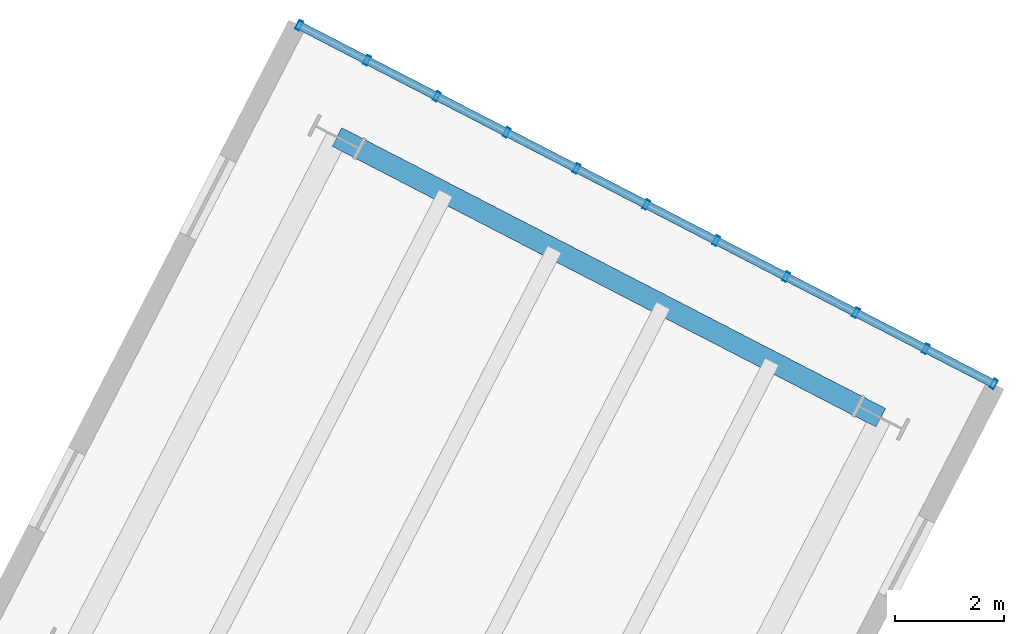
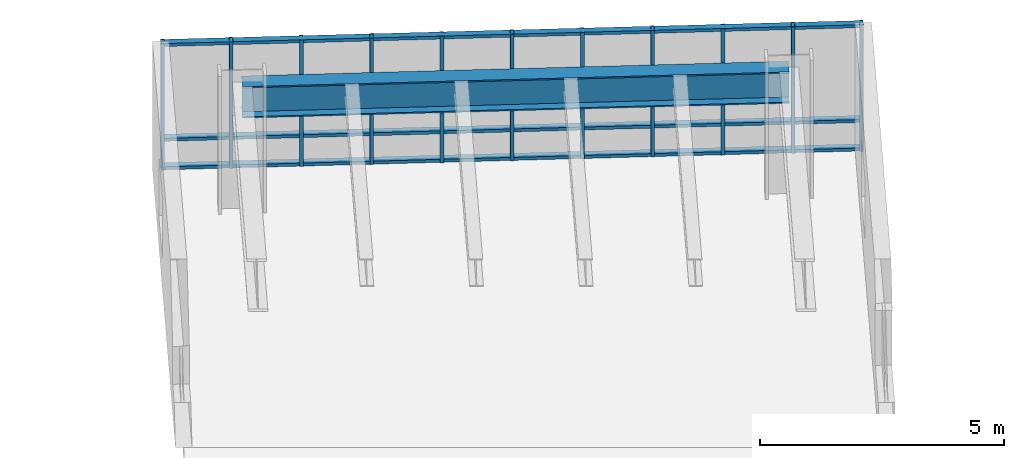
# One storey, part 3 of 10: 14 members, 1 beam, 1 element without a shape of its own.
"""IFC4 building model written with IfcOpenShell, lengths in metres."""

from ifc_helpers import new_model, si_unit, direction, frame, origin, origin_2d, place, context, subcontext, project, spatial, hollow_rectangle, i_section, extrude, material, layer, layer_set, material_profile, profile_set, type_object, element, aggregate, save


model = new_model("IFC4")

# Units and contexts
model_context = context("Model", 3, precision=1e-05, world=origin(), true_north=direction((0.0, 1.0)))
body_context = subcontext(model_context, "Body", "Model", "MODEL_VIEW")
ifc_project = project(units=[si_unit("LENGTHUNIT", "METRE"), si_unit("AREAUNIT", "SQUARE_METRE"), si_unit("VOLUMEUNIT", "CUBIC_METRE"), si_unit("PLANEANGLEUNIT", "RADIAN"), si_unit("MASSUNIT", "GRAM", prefix="KILO"), si_unit("THERMODYNAMICTEMPERATUREUNIT", "KELVIN"), si_unit("POWERUNIT", "WATT")], contexts=[model_context])

# Site, building, storey
site_placement = place(None, origin())
site = spatial("IfcSite", under=ifc_project, at=site_placement, CompositionType="ELEMENT")
building_placement = place(site_placement, origin())
building = spatial("IfcBuilding", under=site, at=building_placement, Name="Skarre Station Tower", CompositionType="ELEMENT")
storey_placement = place(building_placement, frame((0.0, 0.0, 115.35009765625)))
storey = spatial("IfcBuildingStorey", under=building, at=storey_placement, Name="L30", CompositionType="ELEMENT", Elevation=115.35009765625)

# Curtain wall, members
ifc_material_1 = material(Name="Thermally Broken Bronze-Anodized Aluminium & Triple Low-E Glass", Category="aluminium")
ifc_layer = layer(ifc_material_1, 0.2099609375, Name="Thermally Broken Bronze-Anodized Aluminium & Triple Low-E Glass")
ifc_layer_set = layer_set([ifc_layer], Name="Thermally Broken Bronze-Anodized Aluminium & Triple Low-E Glass")
curtain_wall_type = type_object("IfcCurtainWallType", Name="Sky-Bar Prow Structural Glazed Curtain Wall", PredefinedType="NOTDEFINED", material=ifc_layer_set)
curtain_wall_placement = place(storey_placement, origin())
curtain_wall = element("IfcCurtainWall", 1, at=curtain_wall_placement, inside=storey, type_object=curtain_wall_type, Name="L30 SB-2 Lakefront Prow Curtain Wall", PredefinedType="NOTDEFINED")
ifc_material_2 = material(Name="Anodized Aluminium 6063-T6", Category="aluminium")
ifc_material_profile_1 = material_profile(ifc_material_2, hollow_rectangle(XDim=0.074951171875, YDim=0.14990234375, WallThickness=0.00390625, at=origin_2d()), Name="Anodized Aluminium 6063-T6")
ifc_profile_set_1 = profile_set([ifc_material_profile_1], Name="Anodized Aluminium 6063-T6")
member_type_1 = type_object("IfcMemberType", Name="Curtain-Wall Secondary Transom 150x75", PredefinedType="USERDEFINED", material=ifc_profile_set_1)
member_1_placement = place(storey_placement, frame((48.833984375, 60.43310546875, 0.039794921875), z_axis=(0.888595468438, -0.458691719427, 0.0), x_axis=(0.0, 0.0, 1.0)))
member_1 = element("IfcMember", 2, at=member_1_placement, type_object=member_type_1, Name="L30 SB-2 Lakefront Prow Curtain Wall Transom 1", ObjectType="TRANSOM", PredefinedType="USERDEFINED", context=body_context, shape_type="SweptSolid", body=[
    extrude(hollow_rectangle(XDim=0.074951171875, YDim=0.14990234375, WallThickness=0.00390625, at=origin_2d()), origin(), (0.0, 0.0, 1.0), 14.400146484375),
])
member_2_placement = place(storey_placement, frame((48.833984375, 60.43310546875, 0.75), z_axis=(0.888595468438, -0.458691719427, 0.0), x_axis=(0.0, 0.0, 1.0)))
member_2 = element("IfcMember", 3, at=member_2_placement, type_object=member_type_1, Name="L30 SB-2 Lakefront Prow Curtain Wall Transom 2", ObjectType="TRANSOM", PredefinedType="USERDEFINED", context=body_context, shape_type="SweptSolid", body=[
    extrude(hollow_rectangle(XDim=0.074951171875, YDim=0.14990234375, WallThickness=0.00390625, at=origin_2d()), origin(), (0.0, 0.0, 1.0), 14.400146484375),
])
member_3_placement = place(storey_placement, frame((48.833984375, 60.43310546875, 3.119873046875), z_axis=(0.888595468438, -0.458691719427, 0.0), x_axis=(0.0, 0.0, 1.0)))
member_3 = element("IfcMember", 4, at=member_3_placement, type_object=member_type_1, Name="L30 SB-2 Lakefront Prow Curtain Wall Transom 3", ObjectType="TRANSOM", PredefinedType="USERDEFINED", context=body_context, shape_type="SweptSolid", body=[
    extrude(hollow_rectangle(XDim=0.074951171875, YDim=0.14990234375, WallThickness=0.00390625, at=origin_2d()), origin(), (0.0, 0.0, 1.0), 14.400146484375),
])
ifc_material_profile_2 = material_profile(ifc_material_2, hollow_rectangle(XDim=0.074951171875, YDim=0.179931640625, WallThickness=0.00390625, at=origin_2d()), Name="Anodized Aluminium 6063-T6")
ifc_profile_set_2 = profile_set([ifc_material_profile_2], Name="Anodized Aluminium 6063-T6")
member_type_2 = type_object("IfcMemberType", Name="Curtain-Wall Unitised Tower Mullion 180x75", PredefinedType="MULLION", material=ifc_profile_set_2)
member_4_placement = place(storey_placement, frame((48.8701171875, 60.4150390625, 0.0), z_axis=(0.0, 0.0, 1.0), x_axis=(0.888601222224, -0.458680572798, 0.0)))
member_4 = element("IfcMember", 5, at=member_4_placement, type_object=member_type_2, Name="L30 SB-2 Lakefront Prow Curtain Wall Mullion 1", PredefinedType="MULLION", context=body_context, shape_type="SweptSolid", body=[
    extrude(hollow_rectangle(XDim=0.074951171875, YDim=0.179931640625, WallThickness=0.00390625, at=origin_2d()), origin(), (0.0, 0.0, 1.0), 3.159912109375),
])
member_5_placement = place(storey_placement, frame((50.114013671875, 59.77294921875, 0.0), z_axis=(0.0, 0.0, 1.0), x_axis=(0.888601222224, -0.458680572798, 0.0)))
member_5 = element("IfcMember", 6, at=member_5_placement, type_object=member_type_2, Name="L30 SB-2 Lakefront Prow Curtain Wall Mullion 2", PredefinedType="MULLION", context=body_context, shape_type="SweptSolid", body=[
    extrude(hollow_rectangle(XDim=0.074951171875, YDim=0.179931640625, WallThickness=0.00390625, at=origin_2d()), origin(), (0.0, 0.0, 1.0), 3.159912109375),
])
member_6_placement = place(storey_placement, frame((51.39306640625, 59.112060546875, 0.0), z_axis=(0.0, 0.0, 1.0), x_axis=(0.888601222224, -0.458680572798, 0.0)))
member_6 = element("IfcMember", 7, at=member_6_placement, type_object=member_type_2, Name="L30 SB-2 Lakefront Prow Curtain Wall Mullion 3", PredefinedType="MULLION", context=body_context, shape_type="SweptSolid", body=[
    extrude(hollow_rectangle(XDim=0.074951171875, YDim=0.179931640625, WallThickness=0.00390625, at=origin_2d()), origin(), (0.0, 0.0, 1.0), 3.159912109375),
])
member_7_placement = place(storey_placement, frame((52.673095703125, 58.451904296875, 0.0), z_axis=(0.0, 0.0, 1.0), x_axis=(0.888601222224, -0.458680572798, 0.0)))
member_7 = element("IfcMember", 8, at=member_7_placement, type_object=member_type_2, Name="L30 SB-2 Lakefront Prow Curtain Wall Mullion 4", PredefinedType="MULLION", context=body_context, shape_type="SweptSolid", body=[
    extrude(hollow_rectangle(XDim=0.074951171875, YDim=0.179931640625, WallThickness=0.00390625, at=origin_2d()), origin(), (0.0, 0.0, 1.0), 3.159912109375),
])
member_8_placement = place(storey_placement, frame((53.951904296875, 57.791015625, 0.0), z_axis=(0.0, 0.0, 1.0), x_axis=(0.888601222224, -0.458680572798, 0.0)))
member_8 = element("IfcMember", 9, at=member_8_placement, type_object=member_type_2, Name="L30 SB-2 Lakefront Prow Curtain Wall Mullion 5", PredefinedType="MULLION", context=body_context, shape_type="SweptSolid", body=[
    extrude(hollow_rectangle(XDim=0.074951171875, YDim=0.179931640625, WallThickness=0.00390625, at=origin_2d()), origin(), (0.0, 0.0, 1.0), 3.159912109375),
])
member_9_placement = place(storey_placement, frame((55.23193359375, 57.1298828125, 0.0), z_axis=(0.0, 0.0, 1.0), x_axis=(0.888601222224, -0.458680572798, 0.0)))
member_9 = element("IfcMember", 10, at=member_9_placement, type_object=member_type_2, Name="L30 SB-2 Lakefront Prow Curtain Wall Mullion 6", PredefinedType="MULLION", context=body_context, shape_type="SweptSolid", body=[
    extrude(hollow_rectangle(XDim=0.074951171875, YDim=0.179931640625, WallThickness=0.00390625, at=origin_2d()), origin(), (0.0, 0.0, 1.0), 3.159912109375),
])
member_10_placement = place(storey_placement, frame((56.511962890625, 56.469970703125, 0.0), z_axis=(0.0, 0.0, 1.0), x_axis=(0.888601222224, -0.458680572798, 0.0)))
member_10 = element("IfcMember", 11, at=member_10_placement, type_object=member_type_2, Name="L30 SB-2 Lakefront Prow Curtain Wall Mullion 7", PredefinedType="MULLION", context=body_context, shape_type="SweptSolid", body=[
    extrude(hollow_rectangle(XDim=0.074951171875, YDim=0.179931640625, WallThickness=0.00390625, at=origin_2d()), origin(), (0.0, 0.0, 1.0), 3.159912109375),
])
member_11_placement = place(storey_placement, frame((57.791015625, 55.80908203125, 0.0), z_axis=(0.0, 0.0, 1.0), x_axis=(0.888601222224, -0.458680572798, 0.0)))
member_11 = element("IfcMember", 12, at=member_11_placement, type_object=member_type_2, Name="L30 SB-2 Lakefront Prow Curtain Wall Mullion 8", PredefinedType="MULLION", context=body_context, shape_type="SweptSolid", body=[
    extrude(hollow_rectangle(XDim=0.074951171875, YDim=0.179931640625, WallThickness=0.00390625, at=origin_2d()), origin(), (0.0, 0.0, 1.0), 3.159912109375),
])
member_12_placement = place(storey_placement, frame((59.071044921875, 55.14892578125, 0.0), z_axis=(0.0, 0.0, 1.0), x_axis=(0.888601222224, -0.458680572798, 0.0)))
member_12 = element("IfcMember", 13, at=member_12_placement, type_object=member_type_2, Name="L30 SB-2 Lakefront Prow Curtain Wall Mullion 9", PredefinedType="MULLION", context=body_context, shape_type="SweptSolid", body=[
    extrude(hollow_rectangle(XDim=0.074951171875, YDim=0.179931640625, WallThickness=0.00390625, at=origin_2d()), origin(), (0.0, 0.0, 1.0), 3.159912109375),
])
member_13_placement = place(storey_placement, frame((60.35009765625, 54.489013671875, 0.0), z_axis=(0.0, 0.0, 1.0), x_axis=(0.888601222224, -0.458680572798, 0.0)))
member_13 = element("IfcMember", 14, at=member_13_placement, type_object=member_type_2, Name="L30 SB-2 Lakefront Prow Curtain Wall Mullion 10", PredefinedType="MULLION", context=body_context, shape_type="SweptSolid", body=[
    extrude(hollow_rectangle(XDim=0.074951171875, YDim=0.179931640625, WallThickness=0.00390625, at=origin_2d()), origin(), (0.0, 0.0, 1.0), 3.159912109375),
])
member_14_placement = place(storey_placement, frame((61.593994140625, 53.845947265625, 0.0), z_axis=(0.0, 0.0, 1.0), x_axis=(0.888601222224, -0.458680572798, 0.0)))
member_14 = element("IfcMember", 15, at=member_14_placement, type_object=member_type_2, Name="L30 SB-2 Lakefront Prow Curtain Wall Mullion 11", PredefinedType="MULLION", context=body_context, shape_type="SweptSolid", body=[
    extrude(hollow_rectangle(XDim=0.074951171875, YDim=0.179931640625, WallThickness=0.00390625, at=origin_2d()), origin(), (0.0, 0.0, 1.0), 3.159912109375),
])
aggregate(curtain_wall, [member_4, member_5, member_6, member_7, member_8, member_9, member_10, member_11, member_12, member_13, member_14, member_1, member_2, member_3])

# Beam
ifc_material_3 = material(Name="Steel ASTM A992 Grade 50", Category="steel")
ifc_material_profile_3 = material_profile(ifc_material_3, i_section(OverallWidth=0.384033203125, OverallDepth=0.785888671875, WebThickness=0.02001953125, FlangeThickness=0.032958984375, at=origin_2d()), Name="Steel ASTM A992 Grade 50")
ifc_profile_set_3 = profile_set([ifc_material_profile_3], Name="Steel ASTM A992 Grade 50")
beam_type = type_object("IfcBeamType", Name="Steel Spandrel W30X211", PredefinedType="SPANDREL", material=ifc_profile_set_3)
beam_placement = place(storey_placement, frame((59.52392578125, 53.22705078125, 2.766845703125), z_axis=(-0.888611779493, 0.458660119639, 0.0), x_axis=(-0.458660119639, -0.888611779493, 0.0)))
element("IfcBeam", 16, at=beam_placement, inside=storey, type_object=beam_type, Name="L30 SB-2 Prow Spandrel Girder", PredefinedType="SPANDREL", context=body_context, shape_type="SweptSolid", body=[
    extrude(i_section(OverallWidth=0.384033203125, OverallDepth=0.785888671875, WebThickness=0.02001953125, FlangeThickness=0.032958984375, at=origin_2d()), origin(), (0.0, 0.0, 1.0), 11.20849609375),
])

save(model, "model.ifc")
